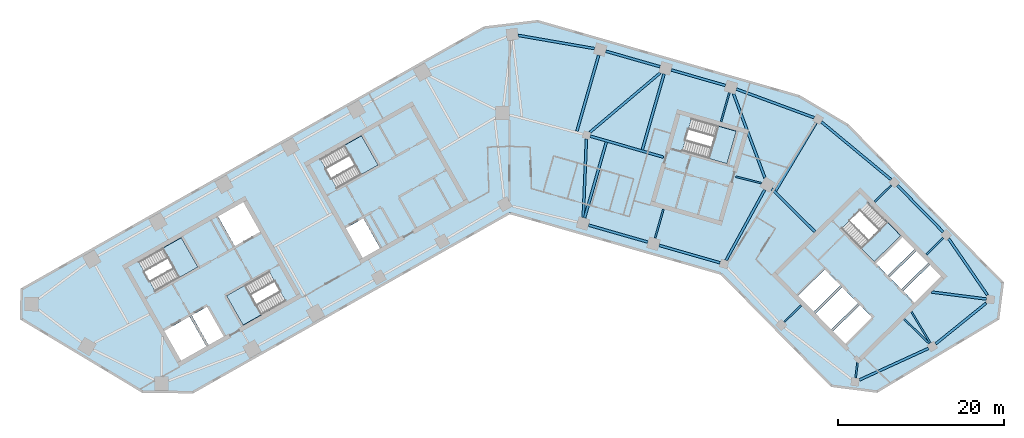
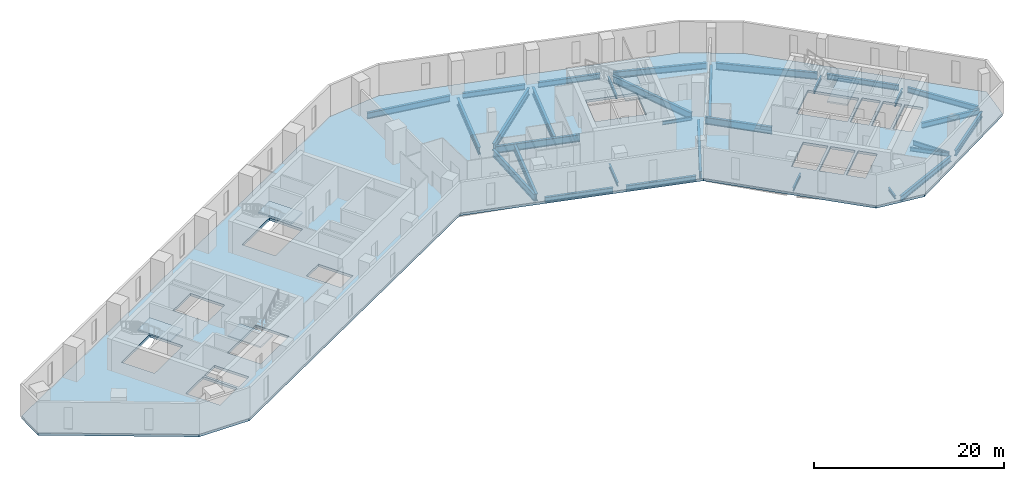
# One storey, part 2 of 10: 31 beams, 6 slabs, 5 elements without a shape of their own.
"""IFC4 building model written with IfcOpenShell, lengths in metres."""

from ifc_helpers import new_model, si_unit, direction, frame, origin, origin_2d, place, context, subcontext, project, spatial, polyline, i_section, outline, extrude, material, layer, layer_set, material_profile, profile_set, type_object, element, aggregate, save


model = new_model("IFC4")

# Units and contexts
model_context = context("Model", 3, precision=1e-05, world=origin(), true_north=direction((0.0, 1.0)))
body_context = subcontext(model_context, "Body", "Model", "MODEL_VIEW")
ifc_project = project(units=[si_unit("LENGTHUNIT", "METRE"), si_unit("AREAUNIT", "SQUARE_METRE"), si_unit("VOLUMEUNIT", "CUBIC_METRE"), si_unit("PLANEANGLEUNIT", "RADIAN"), si_unit("MASSUNIT", "GRAM", prefix="KILO")], contexts=[model_context])

# Site, building, storey
site_placement = place(None, origin())
site = spatial("IfcSite", under=ifc_project, at=site_placement, CompositionType="ELEMENT")
building_placement = place(site_placement, origin())
building = spatial("IfcBuilding", under=site, at=building_placement, Name="Binnacle Exchange Tower", CompositionType="ELEMENT")
storey_placement = place(building_placement, frame((0.0, 0.0, 127.89990234375)))
storey = spatial("IfcBuildingStorey", under=building, at=storey_placement, Name="L26", CompositionType="ELEMENT", Elevation=127.89990234375)

# Beams
ifc_material_1 = material(Name="Steel S355 (SHN355)", Category="steel")
ifc_material_profile_1 = material_profile(ifc_material_1, i_section(OverallWidth=0.300048828125, OverallDepth=0.699951171875, WebThickness=0.012939453125, FlangeThickness=0.02392578125, FilletRadius=0.028076171875, at=origin_2d()), Name="H 700x300x13x24")
ifc_profile_set_1 = profile_set([ifc_material_profile_1], Name="Steel S355 (SHN355)")
beam_type_1 = type_object("IfcBeamType", Name="Edge girder H 700x300x13x24 Steel S355 (SHN355)", PredefinedType="SPANDREL", material=ifc_profile_set_1)
beam_1_placement = place(storey_placement, frame((9.482421875, 46.529296875, -0.669921875), z_axis=(0.961257800717, -0.275650939705, 0.0), x_axis=(0.275650939705, 0.961257800717, 0.0)))
element("IfcBeam", 1, at=beam_1_placement, inside=storey, type_object=beam_type_1, Name="S:BM:edge:L26:030", PredefinedType="SPANDREL", context=body_context, shape_type="SweptSolid", body=[
    extrude(i_section(OverallWidth=0.300048828125, OverallDepth=0.699951171875, WebThickness=0.012939453125, FlangeThickness=0.02392578125, FilletRadius=0.028076171875, at=origin_2d()), origin(), (0.0, 0.0, 1.0), 7.42041015625),
])
beam_2_placement = place(storey_placement, frame((17.961181640625, 44.09814453125, -0.669921875), z_axis=(0.961257524102, -0.275651904325, 0.0), x_axis=(0.275651904325, 0.961257524102, 0.0)))
element("IfcBeam", 2, at=beam_2_placement, inside=storey, type_object=beam_type_1, Name="S:BM:edge:L26:032", PredefinedType="SPANDREL", context=body_context, shape_type="SweptSolid", body=[
    extrude(i_section(OverallWidth=0.300048828125, OverallDepth=0.699951171875, WebThickness=0.012939453125, FlangeThickness=0.02392578125, FilletRadius=0.028076171875, at=origin_2d()), origin(), (0.0, 0.0, 1.0), 7.620361328125),
])
for number, where, z_axis, x_axis, name in (
    (3, (18.073486328125, 65.569091796875, -0.669921875), (-0.961258249907, 0.275649373272, 0.0), (-0.275649373272, -0.961258249907, 0.0), "S:BM:edge:L26:033"),
    (4, (25.9296875, 63.31640625, -0.669921875), (-0.961258249907, 0.275649373272, 0.0), (-0.275649373272, -0.961258249907, 0.0), "S:BM:edge:L26:034"),
):
    element("IfcBeam", number, at=place(storey_placement, frame(where, z_axis=z_axis, x_axis=x_axis)), inside=storey, type_object=beam_type_1, Name=name, PredefinedType="SPANDREL", context=body_context, shape_type="SweptSolid", body=[
        extrude(i_section(OverallWidth=0.300048828125, OverallDepth=0.699951171875, WebThickness=0.012939453125, FlangeThickness=0.02392578125, FilletRadius=0.028076171875, at=origin_2d()), origin(), (0.0, 0.0, 1.0), 6.77294921875),
    ])
beam_3_placement = place(storey_placement, frame((51.20458984375, 32.248291015625, -0.669921875), z_axis=(0.777570349394, 0.628795953981, 0.0), x_axis=(-0.628795953981, 0.777570349394, 0.0)))
element("IfcBeam", 5, at=beam_3_placement, inside=storey, type_object=beam_type_1, Name="S:BM:edge:L26:040", PredefinedType="SPANDREL", context=body_context, shape_type="SweptSolid", body=[
    extrude(i_section(OverallWidth=0.300048828125, OverallDepth=0.699951171875, WebThickness=0.012939453125, FlangeThickness=0.02392578125, FilletRadius=0.028076171875, at=origin_2d()), origin(), (0.0, 0.0, 1.0), 7.788330078125),
])
beam_4_placement = place(storey_placement, frame((52.1162109375, 45.69580078125, -0.669921875), z_axis=(-0.700892629455, 0.713266795789, 0.0), x_axis=(-0.713266795789, -0.700892629455, 0.0)))
element("IfcBeam", 6, at=beam_4_placement, inside=storey, type_object=beam_type_1, Name="S:BM:edge:L26:041", PredefinedType="SPANDREL", context=body_context, shape_type="SweptSolid", body=[
    extrude(i_section(OverallWidth=0.300048828125, OverallDepth=0.699951171875, WebThickness=0.012939453125, FlangeThickness=0.02392578125, FilletRadius=0.028076171875, at=origin_2d()), origin(), (0.0, 0.0, 1.0), 7.872314453125),
])
beam_5_placement = place(storey_placement, frame((57.41943359375, 38.13330078125, -0.669921875), z_axis=(-0.566410561214, 0.824123216604, 0.0), x_axis=(-0.824123216604, -0.566410561214, 0.0)))
element("IfcBeam", 7, at=beam_5_placement, inside=storey, type_object=beam_type_1, Name="S:BM:edge:L26:042", PredefinedType="SPANDREL", context=body_context, shape_type="SweptSolid", body=[
    extrude(i_section(OverallWidth=0.300048828125, OverallDepth=0.699951171875, WebThickness=0.012939453125, FlangeThickness=0.02392578125, FilletRadius=0.028076171875, at=origin_2d()), origin(), (0.0, 0.0, 1.0), 8.236083984375),
])
ifc_material_profile_2 = material_profile(ifc_material_1, i_section(OverallWidth=0.302001953125, OverallDepth=0.7080078125, WebThickness=0.014892578125, FlangeThickness=0.028076171875, FilletRadius=0.028076171875, at=origin_2d()), Name="H 708x302x15x28")
ifc_profile_set_2 = profile_set([ifc_material_profile_2], Name="Steel S355 (SHN355)")
beam_type_2 = type_object("IfcBeamType", Name="Edge girder H 708x302x15x28 Steel S355 (SHN355)", PredefinedType="SPANDREL", material=ifc_profile_set_2)
beam_6_placement = place(storey_placement, frame((42.054931640625, 27.919921875, -0.673828125), z_axis=(0.909166515566, 0.41643276405, 0.0), x_axis=(-0.41643276405, 0.909166515566, 0.0)))
element("IfcBeam", 8, at=beam_6_placement, inside=storey, type_object=beam_type_2, Name="S:BM:edge:L26:038", PredefinedType="SPANDREL", context=body_context, shape_type="SweptSolid", body=[
    extrude(i_section(OverallWidth=0.302001953125, OverallDepth=0.7080078125, WebThickness=0.014892578125, FlangeThickness=0.028076171875, FilletRadius=0.028076171875, at=origin_2d()), origin(), (0.0, 0.0, 1.0), 9.128662109375),
])
ifc_material_profile_3 = material_profile(ifc_material_1, i_section(OverallWidth=0.300048828125, OverallDepth=0.800048828125, WebThickness=0.013916015625, FlangeThickness=0.02587890625, FilletRadius=0.028076171875, at=origin_2d()), Name="H 800x300x14x26")
ifc_profile_set_3 = profile_set([ifc_material_profile_3], Name="Steel S355 (SHN355)")
beam_type_3 = type_object("IfcBeamType", Name="Edge girder H 800x300x14x26 Steel S355 (SHN355)", PredefinedType="SPANDREL", material=ifc_profile_set_3)
beam_7_placement = place(storey_placement, frame((10.1962890625, 67.749267578125, -0.719970703125), z_axis=(-0.985312784176, 0.170759237931, 0.0), x_axis=(-0.170759237931, -0.985312784176, 0.0)))
element("IfcBeam", 9, at=beam_7_placement, inside=storey, type_object=beam_type_3, Name="S:BM:edge:L26:031", PredefinedType="SPANDREL", context=body_context, shape_type="SweptSolid", body=[
    extrude(i_section(OverallWidth=0.300048828125, OverallDepth=0.800048828125, WebThickness=0.013916015625, FlangeThickness=0.02587890625, FilletRadius=0.028076171875, at=origin_2d()), origin(), (0.0, 0.0, 1.0), 9.313232421875),
])
ifc_material_profile_4 = material_profile(ifc_material_1, i_section(OverallWidth=0.302001953125, OverallDepth=0.80810546875, WebThickness=0.01611328125, FlangeThickness=0.030029296875, FilletRadius=0.028076171875, at=origin_2d()), Name="H 808x302x16x30")
ifc_profile_set_4 = profile_set([ifc_material_profile_4], Name="Steel S355 (SHN355)")
beam_type_4 = type_object("IfcBeamType", Name="Edge girder H 808x302x16x30 Steel S355 (SHN355)", PredefinedType="SPANDREL", material=ifc_profile_set_4)
beam_8_placement = place(storey_placement, frame((36.60791015625, 59.438232421875, -0.723876953125), z_axis=(-0.938371988478, 0.3456269828, 0.0), x_axis=(-0.3456269828, -0.938371988478, 0.0)))
element("IfcBeam", 10, at=beam_8_placement, inside=storey, type_object=beam_type_4, Name="S:BM:edge:L26:037", PredefinedType="SPANDREL", context=body_context, shape_type="SweptSolid", body=[
    extrude(i_section(OverallWidth=0.302001953125, OverallDepth=0.80810546875, WebThickness=0.01611328125, FlangeThickness=0.030029296875, FilletRadius=0.028076171875, at=origin_2d()), origin(), (0.0, 0.0, 1.0), 9.96044921875),
])
ifc_material_profile_5 = material_profile(ifc_material_1, i_section(OverallWidth=0.300048828125, OverallDepth=0.89990234375, WebThickness=0.01611328125, FlangeThickness=0.028076171875, FilletRadius=0.028076171875, at=origin_2d()), Name="H 900x300x16x28")
ifc_profile_set_5 = profile_set([ifc_material_profile_5], Name="Steel S355 (SHN355)")
beam_type_5 = type_object("IfcBeamType", Name="Edge girder H 900x300x16x28 Steel S355 (SHN355)", PredefinedType="SPANDREL", material=ifc_profile_set_5)
beam_9_placement = place(storey_placement, frame((45.861083984375, 51.988037109375, -0.77001953125), z_axis=(-0.769903256509, 0.63816061898, 0.0), x_axis=(-0.63816061898, -0.769903256509, 0.0)))
element("IfcBeam", 11, at=beam_9_placement, inside=storey, type_object=beam_type_5, Name="S:BM:edge:L26:039", PredefinedType="SPANDREL", context=body_context, shape_type="SweptSolid", body=[
    extrude(i_section(OverallWidth=0.300048828125, OverallDepth=0.89990234375, WebThickness=0.01611328125, FlangeThickness=0.028076171875, FilletRadius=0.028076171875, at=origin_2d()), origin(), (0.0, 0.0, 1.0), 10.892822265625),
])
ifc_material_profile_6 = material_profile(ifc_material_1, i_section(OverallWidth=0.199951171875, OverallDepth=0.39990234375, WebThickness=0.008056640625, FlangeThickness=0.012939453125, FilletRadius=0.01611328125, at=origin_2d()), Name="H 400x200x8x13")
ifc_profile_set_6 = profile_set([ifc_material_profile_6], Name="Steel S355 (SHN355)")
beam_type_6 = type_object("IfcBeamType", Name="Floor beam H 400x200x8x13 Steel S355 (SHN355)", PredefinedType="BEAM", material=ifc_profile_set_6)
beam_10_placement = place(storey_placement, frame((41.582763671875, 28.1708984375, -0.52001953125), z_axis=(0.12626620762, 0.991996393549, 0.0), x_axis=(-0.991996393549, 0.12626620762, 0.0)))
element("IfcBeam", 12, at=beam_10_placement, inside=storey, type_object=beam_type_6, Name="S:BM:cross:L26:063", PredefinedType="BEAM", context=body_context, shape_type="SweptSolid", body=[
    extrude(i_section(OverallWidth=0.199951171875, OverallDepth=0.39990234375, WebThickness=0.008056640625, FlangeThickness=0.012939453125, FilletRadius=0.01611328125, at=origin_2d()), origin(), (0.0, 0.0, 1.0), 1.8310546875),
])
ifc_material_profile_7 = material_profile(ifc_material_1, i_section(OverallWidth=0.199951171875, OverallDepth=0.449951171875, WebThickness=0.009033203125, FlangeThickness=0.013916015625, FilletRadius=0.01806640625, at=origin_2d()), Name="H 450x200x9x14")
ifc_profile_set_7 = profile_set([ifc_material_profile_7], Name="Steel S355 (SHN355)")
beam_type_7 = type_object("IfcBeamType", Name="Floor beam H 450x200x9x14 Steel S355 (SHN355)", PredefinedType="BEAM", material=ifc_profile_set_7)
for number, where, z_axis, x_axis, name in (
    (13, (32.997802734375, 34.880615234375, -0.544921875), (0.713272005304, 0.700887327928, 0.0), (-0.700887327928, 0.713272005304, 0.0), "S:BM:cross:L26:061"),
    (14, (45.8916015625, 51.31689453125, -0.544921875), (-0.713272005304, -0.700887327928, 0.0), (0.700887327928, -0.713272005304, 0.0), "S:BM:cross:L26:064"),
    (15, (52.110107421875, 44.98876953125, -0.544921875), (-0.713272005304, -0.700887327928, 0.0), (0.700887327928, -0.713272005304, 0.0), "S:BM:cross:L26:066"),
):
    element("IfcBeam", number, at=place(storey_placement, frame(where, z_axis=z_axis, x_axis=x_axis)), inside=storey, type_object=beam_type_7, Name=name, PredefinedType="BEAM", context=body_context, shape_type="SweptSolid", body=[
        extrude(i_section(OverallWidth=0.199951171875, OverallDepth=0.449951171875, WebThickness=0.009033203125, FlangeThickness=0.013916015625, FilletRadius=0.01806640625, at=origin_2d()), origin(), (0.0, 0.0, 1.0), 2.8583984375),
    ])
ifc_material_profile_8 = material_profile(ifc_material_1, i_section(OverallWidth=0.200927734375, OverallDepth=0.506103515625, WebThickness=0.010986328125, FlangeThickness=0.01904296875, FilletRadius=0.02001953125, at=origin_2d()), Name="H 506x201x11x19")
ifc_profile_set_8 = profile_set([ifc_material_profile_8], Name="Steel S355 (SHN355)")
beam_type_8 = type_object("IfcBeamType", Name="Floor beam H 506x201x11x19 Steel S355 (SHN355)", PredefinedType="BEAM", material=ifc_profile_set_8)
beam_11_placement = place(storey_placement, frame((17.481201171875, 44.964111328125, -0.572998046875), z_axis=(0.275643564404, 0.961259915633, 0.0), x_axis=(-0.961259915633, 0.275643564404, 0.0)))
element("IfcBeam", 16, at=beam_11_placement, inside=storey, type_object=beam_type_8, Name="S:BM:cross:L26:058", PredefinedType="BEAM", context=body_context, shape_type="SweptSolid", body=[
    extrude(i_section(OverallWidth=0.200927734375, OverallDepth=0.506103515625, WebThickness=0.010986328125, FlangeThickness=0.01904296875, FilletRadius=0.02001953125, at=origin_2d()), origin(), (0.0, 0.0, 1.0), 3.635009765625),
])
beam_12_placement = place(storey_placement, frame((26.409912109375, 62.45068359375, -0.572998046875), z_axis=(-0.275687825643, -0.961247222515, 0.0), x_axis=(0.961247222515, -0.275687825643, 0.0)))
element("IfcBeam", 17, at=beam_12_placement, inside=storey, type_object=beam_type_8, Name="S:BM:cross:L26:060", PredefinedType="BEAM", context=body_context, shape_type="SweptSolid", body=[
    extrude(i_section(OverallWidth=0.200927734375, OverallDepth=0.506103515625, WebThickness=0.010986328125, FlangeThickness=0.01904296875, FilletRadius=0.02001953125, at=origin_2d()), origin(), (0.0, 0.0, 1.0), 3.63525390625),
])
ifc_material_profile_9 = material_profile(ifc_material_1, i_section(OverallWidth=0.199951171875, OverallDepth=0.60009765625, WebThickness=0.010986328125, FlangeThickness=0.01708984375, FilletRadius=0.02197265625, at=origin_2d()), Name="H 600x200x11x17")
ifc_profile_set_9 = profile_set([ifc_material_profile_9], Name="Steel S355 (SHN355)")
beam_type_9 = type_object("IfcBeamType", Name="Floor beam H 600x200x11x17 Steel S355 (SHN355)", PredefinedType="BEAM", material=ifc_profile_set_9)
beam_13_placement = place(storey_placement, frame((50.554443359375, 32.359619140625, -0.619873046875), z_axis=(-0.515054637465, 0.857157348697, 0.0), x_axis=(-0.857157348697, -0.515054637465, 0.0)))
element("IfcBeam", 18, at=beam_13_placement, inside=storey, type_object=beam_type_9, Name="S:BM:cross:L26:065", PredefinedType="BEAM", context=body_context, shape_type="SweptSolid", body=[
    extrude(i_section(OverallWidth=0.199951171875, OverallDepth=0.60009765625, WebThickness=0.010986328125, FlangeThickness=0.01708984375, FilletRadius=0.02197265625, at=origin_2d()), origin(), (0.0, 0.0, 1.0), 4.367431640625),
])
ifc_material_profile_10 = material_profile(ifc_material_1, i_section(OverallWidth=0.300048828125, OverallDepth=0.699951171875, WebThickness=0.012939453125, FlangeThickness=0.02392578125, FilletRadius=0.028076171875, at=origin_2d()), Name="H 700x300x13x24")
ifc_profile_set_10 = profile_set([ifc_material_profile_10], Name="Steel S355 (SHN355)")
beam_type_10 = type_object("IfcBeamType", Name="Floor beam H 700x300x13x24 Steel S355 (SHN355)", PredefinedType="BEAM", material=ifc_profile_set_10)
beam_14_placement = place(storey_placement, frame((57.302978515625, 37.64404296875, -0.669921875), z_axis=(-0.992004198178, 0.12620487628, 0.0), x_axis=(-0.12620487628, -0.992004198178, 0.0)))
element("IfcBeam", 19, at=beam_14_placement, inside=storey, type_object=beam_type_10, Name="S:BM:cross:L26:067", PredefinedType="BEAM", context=body_context, shape_type="SweptSolid", body=[
    extrude(i_section(OverallWidth=0.300048828125, OverallDepth=0.699951171875, WebThickness=0.012939453125, FlangeThickness=0.02392578125, FilletRadius=0.028076171875, at=origin_2d()), origin(), (0.0, 0.0, 1.0), 6.63134765625),
])
ifc_material_profile_11 = material_profile(ifc_material_1, i_section(OverallWidth=0.302978515625, OverallDepth=0.91796875, WebThickness=0.01904296875, FlangeThickness=0.037109375, FilletRadius=0.028076171875, at=origin_2d()), Name="H 918x303x19x37")
ifc_profile_set_11 = profile_set([ifc_material_profile_11], Name="Steel S355 (SHN355)")
beam_type_11 = type_object("IfcBeamType", Name="Floor beam H 918x303x19x37 Steel S355 (SHN355)", PredefinedType="BEAM", material=ifc_profile_set_11)
beam_15_placement = place(storey_placement, frame((9.00244140625, 47.395263671875, -0.77880859375), z_axis=(0.275642274849, 0.961260285415, 0.0), x_axis=(-0.961260285415, 0.275642274849, 0.0)))
element("IfcBeam", 20, at=beam_15_placement, inside=storey, type_object=beam_type_11, Name="S:BM:cross:L26:056", PredefinedType="BEAM", context=body_context, shape_type="SweptSolid", body=[
    extrude(i_section(OverallWidth=0.302978515625, OverallDepth=0.91796875, WebThickness=0.01904296875, FlangeThickness=0.037109375, FilletRadius=0.028076171875, at=origin_2d()), origin(), (0.0, 0.0, 1.0), 9.485107421875),
])
beam_16_placement = place(storey_placement, frame((10.697021484375, 66.9560546875, -0.77880859375), z_axis=(-0.27562260808, -0.961265924661, 0.0), x_axis=(0.961265924661, -0.27562260808, 0.0)))
element("IfcBeam", 21, at=beam_16_placement, inside=storey, type_object=beam_type_11, Name="S:BM:cross:L26:057", PredefinedType="BEAM", context=body_context, shape_type="SweptSolid", body=[
    extrude(i_section(OverallWidth=0.302978515625, OverallDepth=0.91796875, WebThickness=0.01904296875, FlangeThickness=0.037109375, FilletRadius=0.028076171875, at=origin_2d()), origin(), (0.0, 0.0, 1.0), 9.51318359375),
])
beam_17_placement = place(storey_placement, frame((18.553466796875, 64.703369140625, -0.77880859375), z_axis=(-0.275642274849, -0.961260285415, 0.0), x_axis=(0.961260285415, -0.275642274849, 0.0)))
element("IfcBeam", 22, at=beam_17_placement, inside=storey, type_object=beam_type_11, Name="S:BM:cross:L26:059", PredefinedType="BEAM", context=body_context, shape_type="SweptSolid", body=[
    extrude(i_section(OverallWidth=0.302978515625, OverallDepth=0.91796875, WebThickness=0.01904296875, FlangeThickness=0.037109375, FilletRadius=0.028076171875, at=origin_2d()), origin(), (0.0, 0.0, 1.0), 9.485107421875),
])
beam_18_placement = place(storey_placement, frame((36.829345703125, 58.832763671875, -0.77880859375), z_axis=(-0.51129570724, -0.859404852068, 0.0), x_axis=(0.859404852068, -0.51129570724, 0.0)))
element("IfcBeam", 23, at=beam_18_placement, inside=storey, type_object=beam_type_11, Name="S:BM:cross:L26:062", PredefinedType="BEAM", context=body_context, shape_type="SweptSolid", body=[
    extrude(i_section(OverallWidth=0.302978515625, OverallDepth=0.91796875, WebThickness=0.01904296875, FlangeThickness=0.037109375, FilletRadius=0.028076171875, at=origin_2d()), origin(), (0.0, 0.0, 1.0), 9.5361328125),
])
ifc_material_profile_12 = material_profile(ifc_material_1, i_section(OverallWidth=0.199951171875, OverallDepth=0.449951171875, WebThickness=0.009033203125, FlangeThickness=0.013916015625, FilletRadius=0.01806640625, at=origin_2d()), Name="H 450x200x9x14")
ifc_profile_set_12 = profile_set([ifc_material_profile_12], Name="Steel S355 (SHN355)")
beam_type_12 = type_object("IfcBeamType", Name="Spine girder H 450x200x9x14 Steel S355 (SHN355)", PredefinedType="BEAM", material=ifc_profile_set_12)
beam_19_placement = place(storey_placement, frame((27.17138671875, 52.35400390625, -0.544921875), z_axis=(0.969348404361, -0.245690193055, 0.0), x_axis=(0.245690193055, 0.969348404361, 0.0)))
element("IfcBeam", 24, at=beam_19_placement, inside=storey, type_object=beam_type_12, Name="S:BM:spine:L26:010", PredefinedType="BEAM", context=body_context, shape_type="SweptSolid", body=[
    extrude(i_section(OverallWidth=0.199951171875, OverallDepth=0.449951171875, WebThickness=0.009033203125, FlangeThickness=0.013916015625, FilletRadius=0.01806640625, at=origin_2d()), origin(), (0.0, 0.0, 1.0), 3.20361328125),
])
ifc_material_profile_13 = material_profile(ifc_material_1, i_section(OverallWidth=0.200927734375, OverallDepth=0.506103515625, WebThickness=0.010986328125, FlangeThickness=0.01904296875, FilletRadius=0.02001953125, at=origin_2d()), Name="H 506x201x11x19")
ifc_profile_set_13 = profile_set([ifc_material_profile_13], Name="Steel S355 (SHN355)")
beam_type_13 = type_object("IfcBeamType", Name="Spine girder H 506x201x11x19 Steel S355 (SHN355)", PredefinedType="BEAM", material=ifc_profile_set_13)
beam_20_placement = place(storey_placement, frame((47.417236328125, 35.23095703125, -0.572998046875), z_axis=(0.71705117811, -0.697020521915, 0.0), x_axis=(0.697020521915, 0.71705117811, 0.0)))
element("IfcBeam", 25, at=beam_20_placement, inside=storey, type_object=beam_type_13, Name="S:BM:spine:L26:014", PredefinedType="BEAM", context=body_context, shape_type="SweptSolid", body=[
    extrude(i_section(OverallWidth=0.200927734375, OverallDepth=0.506103515625, WebThickness=0.010986328125, FlangeThickness=0.01904296875, FilletRadius=0.02001953125, at=origin_2d()), origin(), (0.0, 0.0, 1.0), 4.21728515625),
])
ifc_material_profile_14 = material_profile(ifc_material_1, i_section(OverallWidth=0.300048828125, OverallDepth=0.89990234375, WebThickness=0.01611328125, FlangeThickness=0.028076171875, FilletRadius=0.028076171875, at=origin_2d()), Name="H 900x300x16x28")
ifc_profile_set_14 = profile_set([ifc_material_profile_14], Name="Steel S355 (SHN355)")
beam_type_14 = type_object("IfcBeamType", Name="Spine girder H 900x300x16x28 Steel S355 (SHN355)", PredefinedType="BEAM", material=ifc_profile_set_14)
beam_21_placement = place(storey_placement, frame((9.22216796875, 56.887451171875, -0.77001953125), z_axis=(-0.040573469093, -0.999176557774, 0.0), x_axis=(0.999176557774, -0.040573469093, 0.0)))
element("IfcBeam", 26, at=beam_21_placement, inside=storey, type_object=beam_type_14, Name="S:BM:spine:L26:007", PredefinedType="BEAM", context=body_context, shape_type="SweptSolid", body=[
    extrude(i_section(OverallWidth=0.300048828125, OverallDepth=0.89990234375, WebThickness=0.01611328125, FlangeThickness=0.028076171875, FilletRadius=0.028076171875, at=origin_2d()), origin(), (0.0, 0.0, 1.0), 9.453125),
])
beam_22_placement = place(storey_placement, frame((30.65234375, 50.771484375, -0.77001953125), z_axis=(-0.480722811784, -0.876872612316, 0.0), x_axis=(0.876872612316, -0.480722811784, 0.0)))
element("IfcBeam", 27, at=beam_22_placement, inside=storey, type_object=beam_type_14, Name="S:BM:spine:L26:011", PredefinedType="BEAM", context=body_context, shape_type="SweptSolid", body=[
    extrude(i_section(OverallWidth=0.300048828125, OverallDepth=0.89990234375, WebThickness=0.01611328125, FlangeThickness=0.028076171875, FilletRadius=0.028076171875, at=origin_2d()), origin(), (0.0, 0.0, 1.0), 9.650390625),
])
ifc_material_profile_15 = material_profile(ifc_material_1, i_section(OverallWidth=0.302978515625, OverallDepth=0.91796875, WebThickness=0.01904296875, FlangeThickness=0.037109375, FilletRadius=0.028076171875, at=origin_2d()), Name="H 918x303x19x37")
ifc_profile_set_15 = profile_set([ifc_material_profile_15], Name="Steel S355 (SHN355)")
beam_type_15 = type_object("IfcBeamType", Name="Spine girder H 918x303x19x37 Steel S355 (SHN355)", PredefinedType="BEAM", material=ifc_profile_set_15)
beam_23_placement = place(storey_placement, frame((9.65478515625, 57.69970703125, -0.77880859375), z_axis=(0.764067648684, 0.645136131552, 0.0), x_axis=(-0.645136131552, 0.764067648684, 0.0)))
element("IfcBeam", 28, at=beam_23_placement, inside=storey, type_object=beam_type_15, Name="S:BM:spine:L26:008", PredefinedType="BEAM", context=body_context, shape_type="SweptSolid", body=[
    extrude(i_section(OverallWidth=0.302978515625, OverallDepth=0.91796875, WebThickness=0.01904296875, FlangeThickness=0.037109375, FilletRadius=0.028076171875, at=origin_2d()), origin(), (0.0, 0.0, 1.0), 11.056396484375),
])
beam_24_placement = place(storey_placement, frame((9.673583984375, 57.226318359375, -0.77880859375), z_axis=(0.961256048299, -0.275657050715, 0.0), x_axis=(0.275657050715, 0.961256048299, 0.0)))
element("IfcBeam", 29, at=beam_24_placement, inside=storey, type_object=beam_type_15, Name="S:BM:spine:L26:009", PredefinedType="BEAM", context=body_context, shape_type="SweptSolid", body=[
    extrude(i_section(OverallWidth=0.302978515625, OverallDepth=0.91796875, WebThickness=0.01904296875, FlangeThickness=0.037109375, FilletRadius=0.028076171875, at=origin_2d()), origin(), (0.0, 0.0, 1.0), 9.1630859375),
])
beam_25_placement = place(storey_placement, frame((30.6806640625, 52.212890625, -0.77880859375), z_axis=(-0.350112820386, 0.93670753867, 0.0), x_axis=(-0.93670753867, -0.350112820386, 0.0)))
element("IfcBeam", 30, at=beam_25_placement, inside=storey, type_object=beam_type_15, Name="S:BM:spine:L26:012", PredefinedType="BEAM", context=body_context, shape_type="SweptSolid", body=[
    extrude(i_section(OverallWidth=0.302978515625, OverallDepth=0.91796875, WebThickness=0.01904296875, FlangeThickness=0.037109375, FilletRadius=0.028076171875, at=origin_2d()), origin(), (0.0, 0.0, 1.0), 10.777099609375),
])
beam_26_placement = place(storey_placement, frame((31.499755859375, 50.8818359375, -0.77880859375), z_axis=(0.710998016372, -0.703194013566, 0.0), x_axis=(0.703194013566, 0.710998016372, 0.0)))
element("IfcBeam", 31, at=beam_26_placement, inside=storey, type_object=beam_type_15, Name="S:BM:spine:L26:013", PredefinedType="BEAM", context=body_context, shape_type="SweptSolid", body=[
    extrude(i_section(OverallWidth=0.302978515625, OverallDepth=0.91796875, WebThickness=0.01904296875, FlangeThickness=0.037109375, FilletRadius=0.028076171875, at=origin_2d()), origin(), (0.0, 0.0, 1.0), 7.320556640625),
])

# Slab
ifc_material_2 = material(Name="Concrete C35/45", Category="concrete")
ifc_layer_1 = layer(ifc_material_2, 0.320068359375)
ifc_layer_set_1 = layer_set([ifc_layer_1], Name="Floor slab 320 Concrete C35/45")
slab_type_1 = type_object("IfcSlabType", Name="Floor slab 320 Concrete C35/45", PredefinedType="FLOOR", material=ifc_layer_set_1)
slab_1_placement = place(storey_placement, frame((0.0, 0.0, -0.31982421875)))
element("IfcSlab", 32, at=slab_1_placement, inside=storey, type_object=slab_type_1, Name="S:SL:L26:01", PredefinedType="FLOOR", context=body_context, shape_type="SweptSolid", body=[
    extrude(outline(polyline([(59.262939453125, 39.5791015625), (58.716064453125, 35.280029296875), (44.14404296875, 26.5244140625), (38.69091796875, 27.21826171875), (25.43603515625, 40.706298828125), (0.0, 48.0), (-38.097900390625, 26.4453125), (-44.14404296875, 26.5244140625), (-58.716064453125, 35.280029296875), (-58.669921875, 38.80615234375), (-3.046142578125, 70.276611328125), (3.364501953125, 71.035400390625), (34.789794921875, 62.024169921875), (40.607421875, 58.56298828125), (59.262939453125, 39.5791015625)]), holes=[polyline([(-38.4794921875, 35.529296875), (-41.61279296875, 33.756591796875), (-39.544677734375, 30.10107421875), (-36.411376953125, 31.873779296875), (-38.4794921875, 35.529296875)]), polyline([(-34.322509765625, 33.0556640625), (-36.390625, 36.711181640625), (-38.21826171875, 35.677001953125), (-36.150146484375, 32.021484375), (-34.322509765625, 33.0556640625)]), polyline([(-34.040771484375, 38.04052734375), (-32.04638671875, 34.515625), (-26.9287109375, 37.4111328125), (-28.923095703125, 40.93603515625), (-34.040771484375, 38.04052734375)]), polyline([(-37.486572265625, 41.4912109375), (-39.480712890625, 45.01611328125), (-44.598388671875, 42.12060546875), (-42.604248046875, 38.595703125), (-37.486572265625, 41.4912109375)]), polyline([(-15.53076171875, 43.6875), (-17.598876953125, 47.343017578125), (-19.77490234375, 46.11181640625), (-17.70654296875, 42.456298828125), (-15.53076171875, 43.6875)]), polyline([(-29.914306640625, 45.775390625), (-31.982666015625, 49.430908203125), (-35.115966796875, 47.657958984375), (-33.047607421875, 44.00244140625), (-29.914306640625, 45.775390625)]), polyline([(-15.822509765625, 53.748046875), (-17.81689453125, 57.27294921875), (-22.760498046875, 54.47607421875), (-20.76611328125, 50.950927734375), (-15.822509765625, 53.748046875)]), polyline([(26.111328125, 53.9169921875), (27.227783203125, 57.810302734375), (21.864013671875, 59.348388671875), (20.74755859375, 55.455078125), (26.111328125, 53.9169921875)]), polyline([(40.268798828125, 32.201904296875), (43.549560546875, 35.426025390625), (42.07763671875, 36.923828125), (38.796875, 33.69970703125), (40.268798828125, 32.201904296875)]), polyline([(38.58642578125, 33.913818359375), (41.867431640625, 37.137939453125), (39.97509765625, 39.063720703125), (36.694091796875, 35.83935546875), (38.58642578125, 33.913818359375)]), polyline([(36.48388671875, 36.053466796875), (39.7646484375, 39.277587890625), (37.872314453125, 41.203369140625), (34.59130859375, 37.979248046875), (36.48388671875, 36.053466796875)]), polyline([(48.726806640625, 37.148681640625), (52.0078125, 40.372802734375), (50.577880859375, 41.827880859375), (47.296875, 38.603759765625), (48.726806640625, 37.148681640625)]), polyline([(47.086669921875, 38.817626953125), (50.36767578125, 42.0419921875), (48.944580078125, 43.48974609375), (45.663818359375, 40.265625), (47.086669921875, 38.817626953125)]), polyline([(45.45361328125, 40.4794921875), (48.734375, 43.703857421875), (47.3115234375, 45.151611328125), (44.030517578125, 41.927490234375), (45.45361328125, 40.4794921875)]), polyline([(43.8203125, 42.141357421875), (46.994384765625, 45.260498046875), (43.083251953125, 49.240478515625), (39.9091796875, 46.121337890625), (43.8203125, 42.141357421875)])]), origin(), (0.0, 0.0, 1.0), 0.31982421875),
])

# Stair, slab
stair_type = type_object("IfcStairType", Name="STAIR 26 RISERS 169", PredefinedType="HALF_TURN_STAIR", material=ifc_material_2)
stair_1_placement = place(storey_placement, origin())
stair_1 = element("IfcStair", 33, at=stair_1_placement, inside=storey, type_object=stair_type, Name="L26 Escape stair A1", PredefinedType="HALF_TURN_STAIR")
ifc_layer_2 = layer(ifc_material_2, 0.199951171875)
ifc_layer_set_2 = layer_set([ifc_layer_2], Name="STAIR LANDING 200")
slab_type_2 = type_object("IfcSlabType", Name="STAIR LANDING 200", PredefinedType="LANDING", material=ifc_layer_set_2)
slab_2_placement = place(storey_placement, frame((0.0, 0.0, 2.0)))
slab_2 = element("IfcSlab", 34, at=slab_2_placement, type_object=slab_type_2, Name="STA1 landing 1", PredefinedType="LANDING", context=body_context, shape_type="SweptSolid", body=[
    extrude(outline(polyline([(-39.714599609375, 40.23046875), (-37.486572265625, 41.4912109375), (-39.48095703125, 45.01611328125), (-41.708984375, 43.755615234375), (-39.714599609375, 40.23046875)])), origin(), (0.0, 0.0, 1.0), 0.2001953125),
])
aggregate(stair_1, [slab_2])

stair_2_placement = place(storey_placement, origin())
stair_2 = element("IfcStair", 35, at=stair_2_placement, inside=storey, type_object=stair_type, Name="L26 Escape stair A2", PredefinedType="HALF_TURN_STAIR")
slab_3_placement = place(storey_placement, frame((0.0, 0.0, 2.0)))
slab_3 = element("IfcSlab", 36, at=slab_3_placement, type_object=slab_type_2, Name="STA2 landing 1", PredefinedType="LANDING", context=body_context, shape_type="SweptSolid", body=[
    extrude(outline(polyline([(-31.8125, 39.30126953125), (-34.040771484375, 38.04052734375), (-32.04638671875, 34.515625), (-29.818359375, 35.7763671875), (-31.8125, 39.30126953125)])), origin(), (0.0, 0.0, 1.0), 0.2001953125),
])
aggregate(stair_2, [slab_3])

stair_3_placement = place(storey_placement, origin())
stair_3 = element("IfcStair", 37, at=stair_3_placement, inside=storey, type_object=stair_type, Name="L26 Escape stair B1", PredefinedType="HALF_TURN_STAIR")
slab_4_placement = place(storey_placement, frame((0.0, 0.0, 2.0)))
slab_4 = element("IfcSlab", 38, at=slab_4_placement, type_object=slab_type_2, Name="STB1 landing 1", PredefinedType="LANDING", context=body_context, shape_type="SweptSolid", body=[
    extrude(outline(polyline([(42.236328125, 43.75341796875), (43.8203125, 42.141357421875), (46.994384765625, 45.260498046875), (45.410400390625, 46.872314453125), (42.236328125, 43.75341796875)])), origin(), (0.0, 0.0, 1.0), 0.2001953125),
])
aggregate(stair_3, [slab_4])

stair_4_placement = place(storey_placement, origin())
stair_4 = element("IfcStair", 39, at=stair_4_placement, inside=storey, type_object=stair_type, Name="L26 Escape stair C1", PredefinedType="HALF_TURN_STAIR")
slab_5_placement = place(storey_placement, frame((0.0, 0.0, 2.0)))
slab_5 = element("IfcSlab", 40, at=slab_5_placement, type_object=slab_type_2, Name="STC1 landing 1", PredefinedType="LANDING", context=body_context, shape_type="SweptSolid", body=[
    extrude(outline(polyline([(-17.876708984375, 52.5859375), (-15.822509765625, 53.748046875), (-17.81689453125, 57.27294921875), (-19.870849609375, 56.11083984375), (-17.876708984375, 52.5859375)])), origin(), (0.0, 0.0, 1.0), 0.2001953125),
])
aggregate(stair_4, [slab_5])

stair_5_placement = place(storey_placement, origin())
stair_5 = element("IfcStair", 41, at=stair_5_placement, inside=storey, type_object=stair_type, Name="L26 Escape stair D1", PredefinedType="HALF_TURN_STAIR")
slab_6_placement = place(storey_placement, frame((0.0, 0.0, 2.0)))
slab_6 = element("IfcSlab", 42, at=slab_6_placement, type_object=slab_type_2, Name="STD1 landing 1", PredefinedType="LANDING", context=body_context, shape_type="SweptSolid", body=[
    extrude(outline(polyline([(23.93896484375, 54.5400390625), (26.111328125, 53.917236328125), (27.227783203125, 57.810302734375), (25.05517578125, 58.43310546875), (23.93896484375, 54.5400390625)])), origin(), (0.0, 0.0, 1.0), 0.2001953125),
])
aggregate(stair_5, [slab_6])

save(model, "model.ifc")
